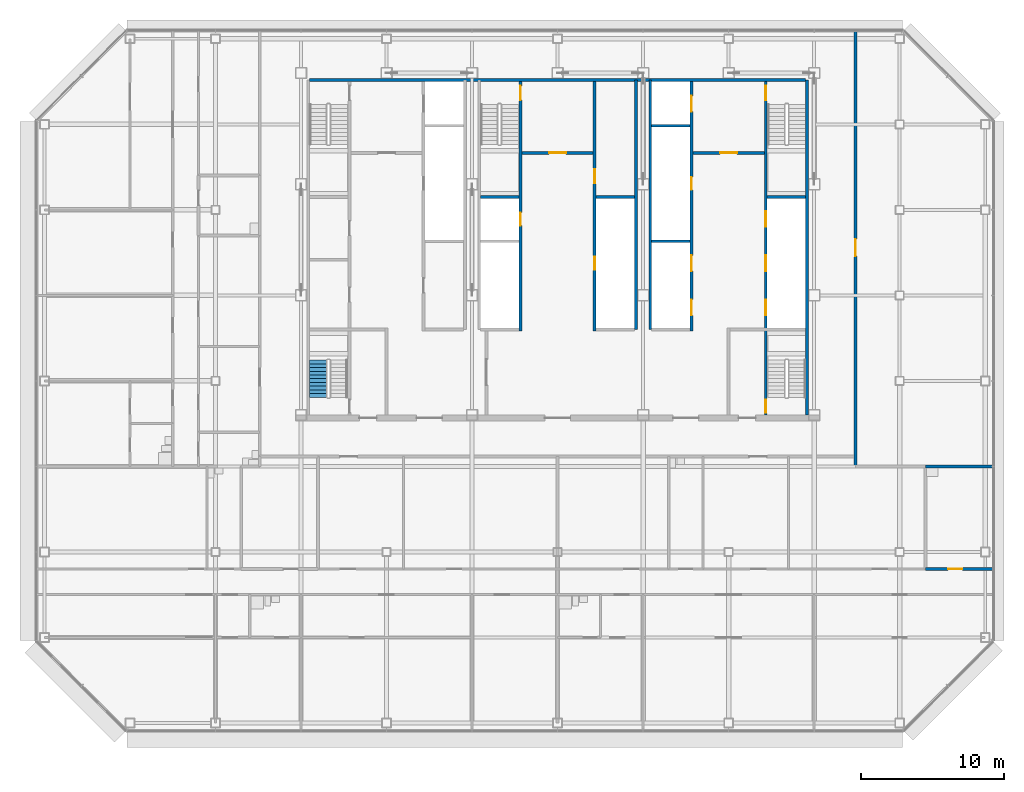
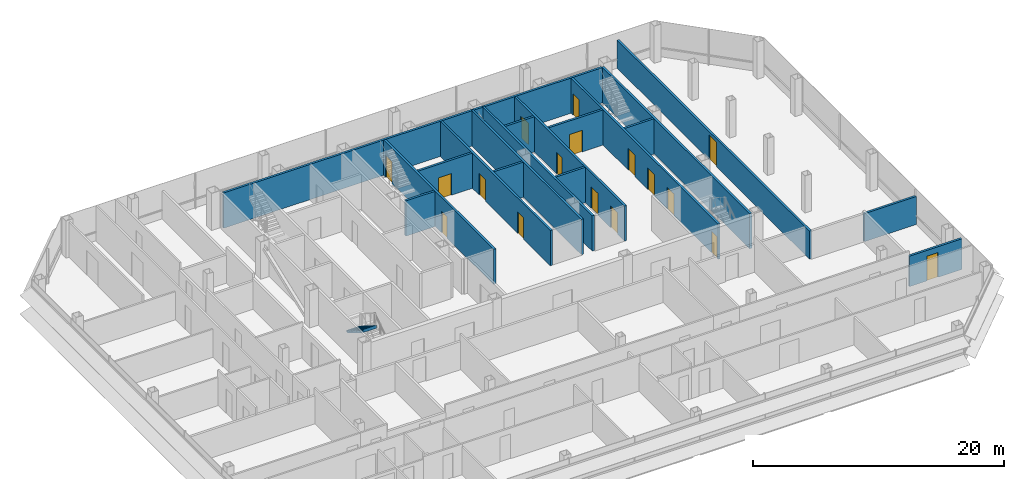
# One storey, part 23 of 26: 18 walls, 17 doors, 1 stair flight, 17 openings, 1 element without a shape of its own.
"""IFC4 building model written with IfcOpenShell, lengths in metres."""

from ifc_helpers import new_model, si_unit, direction, frame, frame_2d, origin, place, context, subcontext, project, spatial, polyline, rectangle, outline, extrude, material, layer, layer_set, type_object, element, fill, aggregate, save


model = new_model("IFC4")

# Units and contexts
model_context = context("Model", 3, precision=1e-05, world=origin(), true_north=direction((0.0, 1.0)))
body_context = subcontext(model_context, "Body", "Model", "MODEL_VIEW")
ifc_project = project(units=[si_unit("LENGTHUNIT", "METRE"), si_unit("AREAUNIT", "SQUARE_METRE"), si_unit("VOLUMEUNIT", "CUBIC_METRE"), si_unit("PLANEANGLEUNIT", "RADIAN"), si_unit("MASSUNIT", "GRAM", prefix="KILO")], contexts=[model_context])

# Site, building, storey
site_placement = place(None, origin())
site = spatial("IfcSite", under=ifc_project, at=site_placement, CompositionType="ELEMENT")
building_placement = place(site_placement, origin())
building = spatial("IfcBuilding", under=site, at=building_placement, Name="Sorahane Residences", CompositionType="ELEMENT")
storey_placement = place(building_placement, frame((0.0, 0.0, 215.39990234375)))
storey = spatial("IfcBuildingStorey", under=building, at=storey_placement, Name="L50", CompositionType="ELEMENT", Elevation=215.39990234375)

# Walls
ifc_material_1 = material(Name="Concrete C30", Category="concrete")
ifc_layer_1 = layer(ifc_material_1, 0.199951171875)
ifc_layer_set_1 = layer_set([ifc_layer_1], Name="Core face wall 200 EI 180")
wall_type_1 = type_object("IfcWallType", Name="Core face wall 200 EI 180", PredefinedType="SOLIDWALL", material=ifc_layer_set_1)
wall_1_placement = place(storey_placement, frame((41.5, 21.60009765625, 0.0), z_axis=(0.0, 0.0, 1.0), x_axis=(0.0, 1.0, 0.0)))
element("IfcWall", 1, at=wall_1_placement, inside=storey, type_object=wall_type_1, Name="L50 core face wall", PredefinedType="SOLIDWALL", context=body_context, shape_type="SweptSolid", body=[
    extrude(rectangle(XDim=23.5, YDim=0.199951171875, at=frame_2d((11.75, 0.0))), origin(), (0.0, 0.0, 1.0), 3.420166015625),
])
wall_2_placement = place(storey_placement, frame((6.60009765625, 45.10009765625, 0.0), z_axis=(0.0, 0.0, 1.0), x_axis=(1.0, 0.0, 0.0)))
element("IfcWall", 2, at=wall_2_placement, inside=storey, type_object=wall_type_1, Name="L50 core face wall", PredefinedType="SOLIDWALL", context=body_context, shape_type="SweptSolid", body=[
    extrude(rectangle(XDim=34.7998046875, YDim=0.199951171875, at=frame_2d((17.39990234375, 0.0))), origin(), (0.0, 0.0, 1.0), 3.420166015625),
])
for number, where, z_axis, x_axis, name in (
    (3, (29.5, 27.60009765625, 0.0), (0.0, 0.0, 1.0), (0.0, 1.0, 0.0), "L50 core face wall"),
    (4, (30.5, 27.60009765625, 0.0), (0.0, 0.0, 1.0), (0.0, 1.0, 0.0), "L50 core face wall"),
):
    element("IfcWall", number, at=place(storey_placement, frame(where, z_axis=z_axis, x_axis=x_axis)), inside=storey, type_object=wall_type_1, Name=name, PredefinedType="SOLIDWALL", context=body_context, shape_type="SweptSolid", body=[
        extrude(rectangle(XDim=17.5, YDim=0.199951171875, at=frame_2d((8.75, 0.0))), origin(), (0.0, 0.0, 1.0), 3.420166015625),
    ])

# Wall, opening, door
ifc_material_2 = material(Name="Concrete blockwork C20 wall", Category="masonry")
ifc_layer_2 = layer(ifc_material_2, 0.199951171875)
ifc_layer_set_2 = layer_set([ifc_layer_2], Name="Corridor wall 200 EI 120")
wall_type_2 = type_object("IfcWallType", Name="Corridor wall 200 EI 120", PredefinedType="SOLIDWALL", material=ifc_layer_set_2)
wall_3_placement = place(storey_placement, frame((44.89990234375, 18.0, 0.0), z_axis=(0.0, 0.0, 1.0), x_axis=(0.0, 1.0, 0.0)))
wall_3 = element("IfcWall", 5, at=wall_3_placement, inside=storey, type_object=wall_type_2, Name="L50 corridor wall", PredefinedType="SOLIDWALL", context=body_context, shape_type="SweptSolid", body=[
    extrude(rectangle(XDim=30.60009765625, YDim=0.199951171875, at=frame_2d((15.300048828125, 0.0))), origin(), (0.0, 0.0, 1.0), 2.72021484375),
])
opening_1_placement = place(wall_3_placement, frame((14.75, 0.0, 0.0)))
opening_1 = element("IfcOpeningElement", 6, at=opening_1_placement, cuts=wall_3, Name="Opening L50-41", PredefinedType="OPENING", context=body_context, shape_type="SweptSolid", body=[
    extrude(rectangle(XDim=1.199951171875, YDim=2.39990234375, at=frame_2d((0.60009765625, 1.199951171875))), frame((0.0, 0.10986328125, 0.0), z_axis=(0.0, -1.0, 0.0), x_axis=(1.0, 0.0, 0.0)), (0.0, 0.0, 1.0), 0.219970703125),
])
ifc_material_3 = material(Name="Steel", Category="steel")
door_type_1 = type_object("IfcDoorType", Name="Lobby door 1200x2400 FD60", OperationType="NOTDEFINED", PredefinedType="DOOR", material=ifc_material_3)
door_1_placement = place(opening_1_placement, frame((1.199951171875, 0.0, 0.0), z_axis=(0.0, 0.0, 1.0), x_axis=(-1.0, 0.0, 0.0)))
door_1 = element("IfcDoor", 7, at=door_1_placement, inside=storey, type_object=door_type_1, Name="Lobby door L50-41", OperationType="SINGLE_SWING_RIGHT", OverallHeight=2.39990234375, OverallWidth=1.199951171875, PredefinedType="DOOR", context=body_context, shape_type="SweptSolid", body=[
    extrude(rectangle(XDim=1.199951171875, YDim=2.39990234375, at=frame_2d((0.60009765625, 1.199951171875))), frame((0.0, 0.02490234375, 0.0), z_axis=(0.0, -1.0, 0.0), x_axis=(1.0, 0.0, 0.0)), (0.0, 0.0, 1.0), 0.050048828125),
])
fill(opening_1, door_1)

ifc_material_4 = material(Name="Concrete C30", Category="concrete")
ifc_layer_3 = layer(ifc_material_4, 0.199951171875)
ifc_layer_set_3 = layer_set([ifc_layer_3], Name="Front room wall 200 EI 120")
wall_type_3 = type_object("IfcWallType", Name="Front room wall 200 EI 120", PredefinedType="PARTITIONING", material=ifc_layer_set_3)
wall_4_placement = place(storey_placement, frame((21.5, 40.0, 0.0), z_axis=(0.0, 0.0, 1.0), x_axis=(1.0, 0.0, 0.0)))
wall_4 = element("IfcWall", 8, at=wall_4_placement, inside=storey, type_object=wall_type_3, Name="L50 front room wall", PredefinedType="PARTITIONING", context=body_context, shape_type="SweptSolid", body=[
    extrude(rectangle(XDim=5.0, YDim=0.199951171875, at=frame_2d((2.5, 0.0))), origin(), (0.0, 0.0, 1.0), 3.420166015625),
])
opening_2_placement = place(wall_4_placement, frame((1.89990234375, 0.0, 0.0)))
opening_2 = element("IfcOpeningElement", 9, at=opening_2_placement, cuts=wall_4, Name="Opening L50-C08", PredefinedType="OPENING", context=body_context, shape_type="SweptSolid", body=[
    extrude(rectangle(XDim=1.199951171875, YDim=2.10009765625, at=frame_2d((0.60009765625, 1.050048828125))), frame((0.0, 0.10986328125, 0.0), z_axis=(0.0, -1.0, 0.0), x_axis=(1.0, 0.0, 0.0)), (0.0, 0.0, 1.0), 0.219970703125),
])
ifc_material_5 = material(Name="Steel", Category="steel")
door_type_2 = type_object("IfcDoorType", Name="Front room door 1200x2100 FD120", OperationType="NOTDEFINED", PredefinedType="DOOR", material=ifc_material_5)
door_2_placement = place(opening_2_placement, frame((1.199951171875, 0.0, 0.0), z_axis=(0.0, 0.0, 1.0), x_axis=(-1.0, 0.0, 0.0)))
door_2 = element("IfcDoor", 10, at=door_2_placement, inside=storey, type_object=door_type_2, Name="Front room door Stair S3 vestibule L50", OperationType="DOUBLE_DOOR_SINGLE_SWING", OverallHeight=2.10009765625, OverallWidth=1.199951171875, PredefinedType="DOOR", context=body_context, shape_type="SweptSolid", body=[
    extrude(rectangle(XDim=1.199951171875, YDim=2.10009765625, at=frame_2d((0.60009765625, 1.050048828125))), frame((0.0, 0.02490234375, 0.0), z_axis=(0.0, -1.0, 0.0), x_axis=(1.0, 0.0, 0.0)), (0.0, 0.0, 1.0), 0.050048828125),
])
fill(opening_2, door_2)

wall_5_placement = place(storey_placement, frame((33.5, 40.0, 0.0), z_axis=(0.0, 0.0, 1.0), x_axis=(1.0, 0.0, 0.0)))
wall_5 = element("IfcWall", 11, at=wall_5_placement, inside=storey, type_object=wall_type_3, Name="L50 front room wall", PredefinedType="PARTITIONING", context=body_context, shape_type="SweptSolid", body=[
    extrude(rectangle(XDim=5.0, YDim=0.199951171875, at=frame_2d((2.5, 0.0))), origin(), (0.0, 0.0, 1.0), 3.420166015625),
])
opening_3_placement = place(wall_5_placement, frame((1.89990234375, 0.0, 0.0)))
opening_3 = element("IfcOpeningElement", 12, at=opening_3_placement, cuts=wall_5, Name="Opening L50-C09", PredefinedType="OPENING", context=body_context, shape_type="SweptSolid", body=[
    extrude(rectangle(XDim=1.199951171875, YDim=2.10009765625, at=frame_2d((0.60009765625, 1.050048828125))), frame((0.0, 0.10986328125, 0.0), z_axis=(0.0, -1.0, 0.0), x_axis=(1.0, 0.0, 0.0)), (0.0, 0.0, 1.0), 0.219970703125),
])
door_3_placement = place(opening_3_placement, frame((1.199951171875, 0.0, 0.0), z_axis=(0.0, 0.0, 1.0), x_axis=(-1.0, 0.0, 0.0)))
door_3 = element("IfcDoor", 13, at=door_3_placement, inside=storey, type_object=door_type_2, Name="Front room door Firefighting lobby FF2 front room L50", OperationType="DOUBLE_DOOR_SINGLE_SWING", OverallHeight=2.10009765625, OverallWidth=1.199951171875, PredefinedType="DOOR", context=body_context, shape_type="SweptSolid", body=[
    extrude(rectangle(XDim=1.199951171875, YDim=2.10009765625, at=frame_2d((0.60009765625, 1.050048828125))), frame((0.0, 0.02490234375, 0.0), z_axis=(0.0, -1.0, 0.0), x_axis=(1.0, 0.0, 0.0)), (0.0, 0.0, 1.0), 0.050048828125),
])
fill(opening_3, door_3)

ifc_material_6 = material(Name="Concrete blockwork C20 wall", Category="masonry")
ifc_layer_4 = layer(ifc_material_6, 0.199951171875)
ifc_layer_set_4 = layer_set([ifc_layer_4], Name="Kitchen wall 200 EI 180")
wall_type_4 = type_object("IfcWallType", Name="Kitchen wall 200 EI 180", PredefinedType="SOLIDWALL", material=ifc_layer_set_4)
wall_6_placement = place(storey_placement, frame((49.800048828125, 10.800048828125, 0.0), z_axis=(0.0, 0.0, 1.0), x_axis=(1.0, 0.0, 0.0)))
wall_6 = element("IfcWall", 14, at=wall_6_placement, inside=storey, type_object=wall_type_4, Name="L50 kitchen wall", PredefinedType="SOLIDWALL", context=body_context, shape_type="SweptSolid", body=[
    extrude(rectangle(XDim=4.800048828125, YDim=0.199951171875, at=frame_2d((2.39990234375, 0.0))), origin(), (0.0, 0.0, 1.0), 2.97021484375),
])
opening_4_placement = place(wall_6_placement, frame((1.60009765625, 0.0, 0.0)))
opening_4 = element("IfcOpeningElement", 15, at=opening_4_placement, cuts=wall_6, Name="Opening L50-18", PredefinedType="OPENING", context=body_context, shape_type="SweptSolid", body=[
    extrude(rectangle(XDim=1.0, YDim=2.39990234375, at=frame_2d((0.5, 1.199951171875))), frame((0.0, 0.10986328125, 0.0), z_axis=(0.0, -1.0, 0.0), x_axis=(1.0, 0.0, 0.0)), (0.0, 0.0, 1.0), 0.219970703125),
])
ifc_material_7 = material(Name="Steel", Category="steel")
door_type_3 = type_object("IfcDoorType", Name="Kitchen door 1000x2400 FD120", OperationType="NOTDEFINED", PredefinedType="DOOR", material=ifc_material_7)
door_4_placement = place(opening_4_placement, origin())
door_4 = element("IfcDoor", 16, at=door_4_placement, inside=storey, type_object=door_type_3, Name="Kitchen door L50-18", OperationType="SINGLE_SWING_RIGHT", OverallHeight=2.39990234375, OverallWidth=1.0, PredefinedType="DOOR", context=body_context, shape_type="SweptSolid", body=[
    extrude(rectangle(XDim=1.0, YDim=2.39990234375, at=frame_2d((0.5, 1.199951171875))), frame((0.0, 0.02490234375, 0.0), z_axis=(0.0, -1.0, 0.0), x_axis=(1.0, 0.0, 0.0)), (0.0, 0.0, 1.0), 0.050048828125),
])
fill(opening_4, door_4)

# Wall
wall_7_placement = place(storey_placement, frame((49.800048828125, 18.0, 0.0), z_axis=(0.0, 0.0, 1.0), x_axis=(1.0, 0.0, 0.0)))
element("IfcWall", 17, at=wall_7_placement, inside=storey, type_object=wall_type_4, Name="L50 kitchen wall", PredefinedType="SOLIDWALL", context=body_context, shape_type="SweptSolid", body=[
    extrude(rectangle(XDim=4.800048828125, YDim=0.199951171875, at=frame_2d((2.39990234375, 0.0))), origin(), (0.0, 0.0, 1.0), 2.72021484375),
])

# Wall, openings, doors
ifc_material_8 = material(Name="Concrete C30", Category="concrete")
ifc_layer_5 = layer(ifc_material_8, 0.199951171875)
ifc_layer_set_5 = layer_set([ifc_layer_5], Name="Lift shaft wall 200 EI 120")
wall_type_5 = type_object("IfcWallType", Name="Lift shaft wall 200 EI 120", PredefinedType="SOLIDWALL", material=ifc_layer_set_5)
wall_8_placement = place(storey_placement, frame((33.39990234375, 27.5, 0.0), z_axis=(0.0, 0.0, 1.0), x_axis=(0.0, 1.0, 0.0)))
wall_8 = element("IfcWall", 18, at=wall_8_placement, inside=storey, type_object=wall_type_5, Name="L50 lift shaft wall", PredefinedType="SOLIDWALL", context=body_context, shape_type="SweptSolid", body=[
    extrude(rectangle(XDim=17.5, YDim=0.199951171875, at=frame_2d((8.75, 0.0))), origin(), (0.0, 0.0, 1.0), 3.420166015625),
])
opening_5_placement = place(wall_8_placement, frame((1.10009765625, 0.0, 0.0)))
opening_5 = element("IfcOpeningElement", 19, at=opening_5_placement, cuts=wall_8, Name="Opening L50-C13", PredefinedType="OPENING", context=body_context, shape_type="SweptSolid", body=[
    extrude(rectangle(XDim=1.10009765625, YDim=2.10009765625, at=frame_2d((0.550048828125, 1.050048828125))), frame((0.0, 0.10986328125, 0.0), z_axis=(0.0, -1.0, 0.0), x_axis=(1.0, 0.0, 0.0)), (0.0, 0.0, 1.0), 0.219970703125),
])
opening_6_placement = place(wall_8_placement, frame((4.199951171875, 0.0, 0.0)))
opening_6 = element("IfcOpeningElement", 20, at=opening_6_placement, cuts=wall_8, Name="Opening L50-C14", PredefinedType="OPENING", context=body_context, shape_type="SweptSolid", body=[
    extrude(rectangle(XDim=1.10009765625, YDim=2.10009765625, at=frame_2d((0.550048828125, 1.050048828125))), frame((0.0, 0.10986328125, 0.0), z_axis=(0.0, -1.0, 0.0), x_axis=(1.0, 0.0, 0.0)), (0.0, 0.0, 1.0), 0.219970703125),
])
opening_7_placement = place(wall_8_placement, frame((15.39990234375, 0.0, 0.0)))
opening_7 = element("IfcOpeningElement", 21, at=opening_7_placement, cuts=wall_8, Name="Opening L50-C15", PredefinedType="OPENING", context=body_context, shape_type="SweptSolid", body=[
    extrude(rectangle(XDim=1.10009765625, YDim=2.10009765625, at=frame_2d((0.550048828125, 1.050048828125))), frame((0.0, 0.10986328125, 0.0), z_axis=(0.0, -1.0, 0.0), x_axis=(1.0, 0.0, 0.0)), (0.0, 0.0, 1.0), 0.219970703125),
])
opening_8_placement = place(wall_8_placement, frame((9.89990234375, 0.0, 0.0)))
opening_8 = element("IfcOpeningElement", 22, at=opening_8_placement, cuts=wall_8, Name="Opening L50-C26", PredefinedType="OPENING", context=body_context, shape_type="SweptSolid", body=[
    extrude(rectangle(XDim=0.89990234375, YDim=2.10009765625, at=frame_2d((0.449951171875, 1.050048828125))), frame((0.0, 0.10986328125, 0.0), z_axis=(0.0, -1.0, 0.0), x_axis=(1.0, 0.0, 0.0)), (0.0, 0.0, 1.0), 0.219970703125),
])
ifc_material_9 = material(Name="Aluminium and stainless steel", Category="steel")
door_type_4 = type_object("IfcDoorType", Name="Lift landing door 1100x2100 E 60", OperationType="NOTDEFINED", PredefinedType="DOOR", material=ifc_material_9)
door_5_placement = place(opening_5_placement, origin())
door_5 = element("IfcDoor", 23, at=door_5_placement, inside=storey, type_object=door_type_4, Name="Lift landing door HR4 L50", OperationType="DOUBLE_DOOR_SLIDING", OverallHeight=2.10009765625, OverallWidth=1.10009765625, PredefinedType="DOOR", context=body_context, shape_type="SweptSolid", body=[
    extrude(rectangle(XDim=1.10009765625, YDim=2.10009765625, at=frame_2d((0.550048828125, 1.050048828125))), frame((0.0, 0.02490234375, 0.0), z_axis=(0.0, -1.0, 0.0), x_axis=(1.0, 0.0, 0.0)), (0.0, 0.0, 1.0), 0.050048828125),
])
fill(opening_5, door_5)
door_6_placement = place(opening_6_placement, origin())
door_6 = element("IfcDoor", 24, at=door_6_placement, inside=storey, type_object=door_type_4, Name="Lift landing door HR5 L50", OperationType="DOUBLE_DOOR_SLIDING", OverallHeight=2.10009765625, OverallWidth=1.10009765625, PredefinedType="DOOR", context=body_context, shape_type="SweptSolid", body=[
    extrude(rectangle(XDim=1.10009765625, YDim=2.10009765625, at=frame_2d((0.550048828125, 1.050048828125))), frame((0.0, 0.02490234375, 0.0), z_axis=(0.0, -1.0, 0.0), x_axis=(1.0, 0.0, 0.0)), (0.0, 0.0, 1.0), 0.050048828125),
])
fill(opening_6, door_6)
door_7_placement = place(opening_7_placement, origin())
door_7 = element("IfcDoor", 25, at=door_7_placement, inside=storey, type_object=door_type_4, Name="Lift landing door FF2 L50", OperationType="DOUBLE_DOOR_SLIDING", OverallHeight=2.10009765625, OverallWidth=1.10009765625, PredefinedType="DOOR", context=body_context, shape_type="SweptSolid", body=[
    extrude(rectangle(XDim=1.10009765625, YDim=2.10009765625, at=frame_2d((0.550048828125, 1.050048828125))), frame((0.0, 0.02490234375, 0.0), z_axis=(0.0, -1.0, 0.0), x_axis=(1.0, 0.0, 0.0)), (0.0, 0.0, 1.0), 0.050048828125),
])
fill(opening_7, door_7)
ifc_material_10 = material(Name="Steel", Category="steel")
door_type_5 = type_object("IfcDoorType", Name="Riser door 900x2100 FD120", OperationType="NOTDEFINED", PredefinedType="DOOR", material=ifc_material_10)
door_8_placement = place(opening_8_placement, frame((0.89990234375, 0.0, 0.0), z_axis=(0.0, 0.0, 1.0), x_axis=(-1.0, 0.0, 0.0)))
door_8 = element("IfcDoor", 26, at=door_8_placement, inside=storey, type_object=door_type_5, Name="Riser door R2 L50", OperationType="SINGLE_SWING_LEFT", OverallHeight=2.10009765625, OverallWidth=0.89990234375, PredefinedType="DOOR", context=body_context, shape_type="SweptSolid", body=[
    extrude(rectangle(XDim=0.89990234375, YDim=2.10009765625, at=frame_2d((0.449951171875, 1.050048828125))), frame((0.0, 0.02490234375, 0.0), z_axis=(0.0, -1.0, 0.0), x_axis=(1.0, 0.0, 0.0)), (0.0, 0.0, 1.0), 0.050048828125),
])
fill(opening_8, door_8)

# Walls
for number, where, z_axis, x_axis, name in (
    (27, (30.60009765625, 33.800048828125, 0.0), (0.0, 0.0, 1.0), (1.0, 0.0, 0.0), "L50 lift shaft wall"),
    (28, (30.60009765625, 41.89990234375, 0.0), (0.0, 0.0, 1.0), (1.0, 0.0, 0.0), "L50 lift shaft wall"),
):
    element("IfcWall", number, at=place(storey_placement, frame(where, z_axis=z_axis, x_axis=x_axis)), inside=storey, type_object=wall_type_5, Name=name, PredefinedType="SOLIDWALL", context=body_context, shape_type="SweptSolid", body=[
        extrude(rectangle(XDim=2.699951171875, YDim=0.199951171875, at=frame_2d((1.35009765625, 0.0))), origin(), (0.0, 0.0, 1.0), 3.420166015625),
    ])

# Wall, openings, doors
ifc_material_11 = material(Name="Concrete C30", Category="concrete")
ifc_layer_6 = layer(ifc_material_11, 0.199951171875)
ifc_layer_set_6 = layer_set([ifc_layer_6], Name="Riser shaft wall 200 EI 120")
wall_type_6 = type_object("IfcWallType", Name="Riser shaft wall 200 EI 120", PredefinedType="SOLIDWALL", material=ifc_layer_set_6)
wall_9_placement = place(storey_placement, frame((26.60009765625, 27.5, 0.0), z_axis=(0.0, 0.0, 1.0), x_axis=(0.0, 1.0, 0.0)))
wall_9 = element("IfcWall", 29, at=wall_9_placement, inside=storey, type_object=wall_type_6, Name="L50 riser wall", PredefinedType="SOLIDWALL", context=body_context, shape_type="SweptSolid", body=[
    extrude(rectangle(XDim=17.5, YDim=0.199951171875, at=frame_2d((8.75, 0.0))), origin(), (0.0, 0.0, 1.0), 3.420166015625),
])
opening_9_placement = place(wall_9_placement, frame((4.300048828125, 0.0, 0.0)))
opening_9 = element("IfcOpeningElement", 30, at=opening_9_placement, cuts=wall_9, Name="Opening L50-C28", PredefinedType="OPENING", context=body_context, shape_type="SweptSolid", body=[
    extrude(rectangle(XDim=0.89990234375, YDim=2.10009765625, at=frame_2d((0.449951171875, 1.050048828125))), frame((0.0, 0.10986328125, 0.0), z_axis=(0.0, -1.0, 0.0), x_axis=(1.0, 0.0, 0.0)), (0.0, 0.0, 1.0), 0.219970703125),
])
opening_10_placement = place(wall_9_placement, frame((10.35009765625, 0.0, 0.0)))
opening_10 = element("IfcOpeningElement", 31, at=opening_10_placement, cuts=wall_9, Name="Opening L50-C29", PredefinedType="OPENING", context=body_context, shape_type="SweptSolid", body=[
    extrude(rectangle(XDim=1.0, YDim=2.10009765625, at=frame_2d((0.5, 1.050048828125))), frame((0.0, 0.10986328125, 0.0), z_axis=(0.0, -1.0, 0.0), x_axis=(1.0, 0.0, 0.0)), (0.0, 0.0, 1.0), 0.219970703125),
])
door_9_placement = place(opening_9_placement, origin())
door_9 = element("IfcDoor", 32, at=door_9_placement, inside=storey, type_object=door_type_5, Name="Riser door R4 L50", OperationType="SINGLE_SWING_LEFT", OverallHeight=2.10009765625, OverallWidth=0.89990234375, PredefinedType="DOOR", context=body_context, shape_type="SweptSolid", body=[
    extrude(rectangle(XDim=0.89990234375, YDim=2.10009765625, at=frame_2d((0.449951171875, 1.050048828125))), frame((0.0, 0.02490234375, 0.0), z_axis=(0.0, -1.0, 0.0), x_axis=(1.0, 0.0, 0.0)), (0.0, 0.0, 1.0), 0.050048828125),
])
fill(opening_9, door_9)
ifc_material_12 = material(Name="Steel", Category="steel")
door_type_6 = type_object("IfcDoorType", Name="Service room door 1000x2100 FD60", OperationType="NOTDEFINED", PredefinedType="DOOR", material=ifc_material_12)
door_10_placement = place(opening_10_placement, frame((1.0, 0.0, 0.0), z_axis=(0.0, 0.0, 1.0), x_axis=(-1.0, 0.0, 0.0)))
door_10 = element("IfcDoor", 33, at=door_10_placement, inside=storey, type_object=door_type_6, Name="Service room door Housekeeping store L50", OperationType="SINGLE_SWING_LEFT", OverallHeight=2.10009765625, OverallWidth=1.0, PredefinedType="DOOR", context=body_context, shape_type="SweptSolid", body=[
    extrude(rectangle(XDim=1.0, YDim=2.10009765625, at=frame_2d((0.5, 1.050048828125))), frame((0.0, 0.02490234375, 0.0), z_axis=(0.0, -1.0, 0.0), x_axis=(1.0, 0.0, 0.0)), (0.0, 0.0, 1.0), 0.050048828125),
])
fill(opening_10, door_10)

# Wall
wall_10_placement = place(storey_placement, frame((26.699951171875, 36.89990234375, 0.0), z_axis=(0.0, 0.0, 1.0), x_axis=(1.0, 0.0, 0.0)))
element("IfcWall", 34, at=wall_10_placement, inside=storey, type_object=wall_type_6, Name="L50 riser wall", PredefinedType="SOLIDWALL", context=body_context, shape_type="SweptSolid", body=[
    extrude(rectangle(XDim=2.699951171875, YDim=0.199951171875, at=frame_2d((1.35009765625, 0.0))), origin(), (0.0, 0.0, 1.0), 3.420166015625),
])

# Wall, openings, doors
ifc_material_13 = material(Name="Concrete C30", Category="concrete")
ifc_layer_7 = layer(ifc_material_13, 0.199951171875)
ifc_layer_set_7 = layer_set([ifc_layer_7], Name="Stair enclosure wall 200 EI 120")
wall_type_7 = type_object("IfcWallType", Name="Stair enclosure wall 200 EI 120", PredefinedType="SOLIDWALL", material=ifc_layer_set_7)
wall_11_placement = place(storey_placement, frame((21.39990234375, 27.5, 0.0), z_axis=(0.0, 0.0, 1.0), x_axis=(0.0, 1.0, 0.0)))
wall_11 = element("IfcWall", 35, at=wall_11_placement, inside=storey, type_object=wall_type_7, Name="L50 stair enclosure wall", PredefinedType="SOLIDWALL", context=body_context, shape_type="SweptSolid", body=[
    extrude(rectangle(XDim=17.5, YDim=0.199951171875, at=frame_2d((8.75, 0.0))), origin(), (0.0, 0.0, 1.0), 3.420166015625),
])
opening_11_placement = place(wall_11_placement, frame((16.199951171875, 0.0, 0.0)))
opening_11 = element("IfcOpeningElement", 36, at=opening_11_placement, cuts=wall_11, Name="Opening L50-C22", PredefinedType="OPENING", context=body_context, shape_type="SweptSolid", body=[
    extrude(rectangle(XDim=1.0, YDim=2.10009765625, at=frame_2d((0.5, 1.050048828125))), frame((0.0, 0.10986328125, 0.0), z_axis=(0.0, -1.0, 0.0), x_axis=(1.0, 0.0, 0.0)), (0.0, 0.0, 1.0), 0.219970703125),
])
opening_12_placement = place(wall_11_placement, frame((7.39990234375, 0.0, 0.0)))
opening_12 = element("IfcOpeningElement", 37, at=opening_12_placement, cuts=wall_11, Name="Opening L50-C27", PredefinedType="OPENING", context=body_context, shape_type="SweptSolid", body=[
    extrude(rectangle(XDim=0.89990234375, YDim=2.10009765625, at=frame_2d((0.449951171875, 1.050048828125))), frame((0.0, 0.10986328125, 0.0), z_axis=(0.0, -1.0, 0.0), x_axis=(1.0, 0.0, 0.0)), (0.0, 0.0, 1.0), 0.219970703125),
])
door_11_placement = place(opening_12_placement, frame((0.89990234375, 0.0, 0.0), z_axis=(0.0, 0.0, 1.0), x_axis=(-1.0, 0.0, 0.0)))
door_11 = element("IfcDoor", 38, at=door_11_placement, inside=storey, type_object=door_type_5, Name="Riser door R3 L50", OperationType="SINGLE_SWING_LEFT", OverallHeight=2.10009765625, OverallWidth=0.89990234375, PredefinedType="DOOR", context=body_context, shape_type="SweptSolid", body=[
    extrude(rectangle(XDim=0.89990234375, YDim=2.10009765625, at=frame_2d((0.449951171875, 1.050048828125))), frame((0.0, 0.02490234375, 0.0), z_axis=(0.0, -1.0, 0.0), x_axis=(1.0, 0.0, 0.0)), (0.0, 0.0, 1.0), 0.050048828125),
])
fill(opening_12, door_11)
ifc_material_14 = material(Name="Steel", Category="steel")
door_type_7 = type_object("IfcDoorType", Name="Stair door 1000x2100 FD120", OperationType="NOTDEFINED", PredefinedType="DOOR", material=ifc_material_14)
door_12_placement = place(opening_11_placement, origin())
door_12 = element("IfcDoor", 39, at=door_12_placement, inside=storey, type_object=door_type_7, Name="Stair door S3 L50", OperationType="SINGLE_SWING_LEFT", OverallHeight=2.10009765625, OverallWidth=1.0, PredefinedType="DOOR", context=body_context, shape_type="SweptSolid", body=[
    extrude(rectangle(XDim=1.0, YDim=2.10009765625, at=frame_2d((0.5, 1.050048828125))), frame((0.0, 0.02490234375, 0.0), z_axis=(0.0, -1.0, 0.0), x_axis=(1.0, 0.0, 0.0)), (0.0, 0.0, 1.0), 0.050048828125),
])
fill(opening_11, door_12)

wall_12_placement = place(storey_placement, frame((38.60009765625, 21.60009765625, 0.0), z_axis=(0.0, 0.0, 1.0), x_axis=(0.0, 1.0, 0.0)))
wall_12 = element("IfcWall", 40, at=wall_12_placement, inside=storey, type_object=wall_type_7, Name="L50 stair enclosure wall", PredefinedType="SOLIDWALL", context=body_context, shape_type="SweptSolid", body=[
    extrude(rectangle(XDim=23.39990234375, YDim=0.199951171875, at=frame_2d((11.699951171875, 0.0))), origin(), (0.0, 0.0, 1.0), 3.420166015625),
])
opening_13_placement = place(wall_12_placement, frame((7.0, 0.0, 0.0)))
opening_13 = element("IfcOpeningElement", 41, at=opening_13_placement, cuts=wall_12, Name="Opening L50-C10", PredefinedType="OPENING", context=body_context, shape_type="SweptSolid", body=[
    extrude(rectangle(XDim=1.10009765625, YDim=2.10009765625, at=frame_2d((0.550048828125, 1.050048828125))), frame((0.0, 0.10986328125, 0.0), z_axis=(0.0, -1.0, 0.0), x_axis=(1.0, 0.0, 0.0)), (0.0, 0.0, 1.0), 0.219970703125),
])
opening_14_placement = place(wall_12_placement, frame((10.10009765625, 0.0, 0.0)))
opening_14 = element("IfcOpeningElement", 42, at=opening_14_placement, cuts=wall_12, Name="Opening L50-C11", PredefinedType="OPENING", context=body_context, shape_type="SweptSolid", body=[
    extrude(rectangle(XDim=1.10009765625, YDim=2.10009765625, at=frame_2d((0.550048828125, 1.050048828125))), frame((0.0, 0.10986328125, 0.0), z_axis=(0.0, -1.0, 0.0), x_axis=(1.0, 0.0, 0.0)), (0.0, 0.0, 1.0), 0.219970703125),
])
opening_15_placement = place(wall_12_placement, frame((13.199951171875, 0.0, 0.0)))
opening_15 = element("IfcOpeningElement", 43, at=opening_15_placement, cuts=wall_12, Name="Opening L50-C12", PredefinedType="OPENING", context=body_context, shape_type="SweptSolid", body=[
    extrude(rectangle(XDim=1.10009765625, YDim=2.10009765625, at=frame_2d((0.550048828125, 1.050048828125))), frame((0.0, 0.10986328125, 0.0), z_axis=(0.0, -1.0, 0.0), x_axis=(1.0, 0.0, 0.0)), (0.0, 0.0, 1.0), 0.219970703125),
])
opening_16_placement = place(wall_12_placement, frame((22.10009765625, 0.0, 0.0)))
opening_16 = element("IfcOpeningElement", 44, at=opening_16_placement, cuts=wall_12, Name="Opening L50-C21", PredefinedType="OPENING", context=body_context, shape_type="SweptSolid", body=[
    extrude(rectangle(XDim=1.0, YDim=2.10009765625, at=frame_2d((0.5, 1.050048828125))), frame((0.0, 0.10986328125, 0.0), z_axis=(0.0, -1.0, 0.0), x_axis=(1.0, 0.0, 0.0)), (0.0, 0.0, 1.0), 0.219970703125),
])
opening_17_placement = place(wall_12_placement, frame((0.175048828125, 0.0, 0.0)))
opening_17 = element("IfcOpeningElement", 45, at=opening_17_placement, cuts=wall_12, Name="Opening L50-C24", PredefinedType="OPENING", context=body_context, shape_type="SweptSolid", body=[
    extrude(rectangle(XDim=0.89990234375, YDim=2.10009765625, at=frame_2d((0.449951171875, 1.050048828125))), frame((0.0, 0.10986328125, 0.0), z_axis=(0.0, -1.0, 0.0), x_axis=(1.0, 0.0, 0.0)), (0.0, 0.0, 1.0), 0.219970703125),
])
door_13_placement = place(opening_13_placement, origin())
door_13 = element("IfcDoor", 46, at=door_13_placement, inside=storey, type_object=door_type_4, Name="Lift landing door HR1 L50", OperationType="DOUBLE_DOOR_SLIDING", OverallHeight=2.10009765625, OverallWidth=1.10009765625, PredefinedType="DOOR", context=body_context, shape_type="SweptSolid", body=[
    extrude(rectangle(XDim=1.10009765625, YDim=2.10009765625, at=frame_2d((0.550048828125, 1.050048828125))), frame((0.0, 0.02490234375, 0.0), z_axis=(0.0, -1.0, 0.0), x_axis=(1.0, 0.0, 0.0)), (0.0, 0.0, 1.0), 0.050048828125),
])
fill(opening_13, door_13)
door_14_placement = place(opening_14_placement, origin())
door_14 = element("IfcDoor", 47, at=door_14_placement, inside=storey, type_object=door_type_4, Name="Lift landing door HR2 L50", OperationType="DOUBLE_DOOR_SLIDING", OverallHeight=2.10009765625, OverallWidth=1.10009765625, PredefinedType="DOOR", context=body_context, shape_type="SweptSolid", body=[
    extrude(rectangle(XDim=1.10009765625, YDim=2.10009765625, at=frame_2d((0.550048828125, 1.050048828125))), frame((0.0, 0.02490234375, 0.0), z_axis=(0.0, -1.0, 0.0), x_axis=(1.0, 0.0, 0.0)), (0.0, 0.0, 1.0), 0.050048828125),
])
fill(opening_14, door_14)
door_15_placement = place(opening_15_placement, origin())
door_15 = element("IfcDoor", 48, at=door_15_placement, inside=storey, type_object=door_type_4, Name="Lift landing door HR3 L50", OperationType="DOUBLE_DOOR_SLIDING", OverallHeight=2.10009765625, OverallWidth=1.10009765625, PredefinedType="DOOR", context=body_context, shape_type="SweptSolid", body=[
    extrude(rectangle(XDim=1.10009765625, YDim=2.10009765625, at=frame_2d((0.550048828125, 1.050048828125))), frame((0.0, 0.02490234375, 0.0), z_axis=(0.0, -1.0, 0.0), x_axis=(1.0, 0.0, 0.0)), (0.0, 0.0, 1.0), 0.050048828125),
])
fill(opening_15, door_15)
door_16_placement = place(opening_16_placement, frame((1.0, 0.0, 0.0), z_axis=(0.0, 0.0, 1.0), x_axis=(-1.0, 0.0, 0.0)))
door_16 = element("IfcDoor", 49, at=door_16_placement, inside=storey, type_object=door_type_7, Name="Stair door S2 L50", OperationType="SINGLE_SWING_LEFT", OverallHeight=2.10009765625, OverallWidth=1.0, PredefinedType="DOOR", context=body_context, shape_type="SweptSolid", body=[
    extrude(rectangle(XDim=1.0, YDim=2.10009765625, at=frame_2d((0.5, 1.050048828125))), frame((0.0, 0.02490234375, 0.0), z_axis=(0.0, -1.0, 0.0), x_axis=(1.0, 0.0, 0.0)), (0.0, 0.0, 1.0), 0.050048828125),
])
fill(opening_16, door_16)
ifc_material_15 = material(Name="Steel", Category="steel")
door_type_8 = type_object("IfcDoorType", Name="Stair door 900x2100 FD120", OperationType="NOTDEFINED", PredefinedType="DOOR", material=ifc_material_15)
door_17_placement = place(opening_17_placement, frame((0.89990234375, 0.0, 0.0), z_axis=(0.0, 0.0, 1.0), x_axis=(-1.0, 0.0, 0.0)))
door_17 = element("IfcDoor", 50, at=door_17_placement, inside=storey, type_object=door_type_8, Name="Stair door S5 L50", OperationType="SINGLE_SWING_LEFT", OverallHeight=2.10009765625, OverallWidth=0.89990234375, PredefinedType="DOOR", context=body_context, shape_type="SweptSolid", body=[
    extrude(rectangle(XDim=0.89990234375, YDim=2.10009765625, at=frame_2d((0.449951171875, 1.050048828125))), frame((0.0, 0.02490234375, 0.0), z_axis=(0.0, -1.0, 0.0), x_axis=(1.0, 0.0, 0.0)), (0.0, 0.0, 1.0), 0.050048828125),
])
fill(opening_17, door_17)

# Walls
for number, where, z_axis, x_axis, name in (
    (51, (18.60009765625, 36.89990234375, 0.0), (0.0, 0.0, 1.0), (1.0, 0.0, 0.0), "L50 stair enclosure wall"),
    (52, (38.699951171875, 36.89990234375, 0.0), (0.0, 0.0, 1.0), (1.0, 0.0, 0.0), "L50 stair enclosure wall"),
):
    element("IfcWall", number, at=place(storey_placement, frame(where, z_axis=z_axis, x_axis=x_axis)), inside=storey, type_object=wall_type_7, Name=name, PredefinedType="SOLIDWALL", context=body_context, shape_type="SweptSolid", body=[
        extrude(rectangle(XDim=2.699951171875, YDim=0.199951171875, at=frame_2d((1.35009765625, 0.0))), origin(), (0.0, 0.0, 1.0), 3.420166015625),
    ])

# Stair, stair flight
ifc_material_16 = material(Name="Concrete C40", Category="concrete")
stair_type = type_object("IfcStairType", Name="Dog-leg stair 1250 Concrete C40", PredefinedType="HALF_TURN_STAIR", material=ifc_material_16)
stair_placement = place(storey_placement, origin())
stair = element("IfcStair", 53, at=stair_placement, inside=storey, type_object=stair_type, Name="L50 Stair S4", PredefinedType="HALF_TURN_STAIR")
ifc_material_17 = material(Name="Concrete C40", Category="concrete")
stair_flight_type = type_object("IfcStairFlightType", Name="Stair flight 1250 Concrete C40", PredefinedType="STRAIGHT", material=ifc_material_17)
stair_flight_placement = place(storey_placement, frame((7.22509765625, 25.449951171875, 1.800048828125), z_axis=(0.0, 0.0, 1.0), x_axis=(0.0, -1.0, 0.0)))
stair_flight = element("IfcStairFlight", 54, at=stair_flight_placement, type_object=stair_flight_type, Name="S4 flight 2", NumberOfRisers=11, NumberOfTreads=10, PredefinedType="STRAIGHT", RiserHeight=0.163636364, TreadLength=0.26, context=body_context, shape_type="SweptSolid", body=[
    extrude(outline(polyline([(0.0, 0.0), (0.0, 0.16357421875), (0.260009765625, 0.16357421875), (0.260009765625, 0.327392578125), (0.52001953125, 0.327392578125), (0.52001953125, 0.490966796875), (0.780029296875, 0.490966796875), (0.780029296875, 0.654541015625), (1.0400390625, 0.654541015625), (1.0400390625, 0.818115234375), (1.300048828125, 0.818115234375), (1.300048828125, 0.98193359375), (1.56005859375, 0.98193359375), (1.56005859375, 1.1455078125), (1.820068359375, 1.1455078125), (1.820068359375, 1.30908203125), (2.080078125, 1.30908203125), (2.080078125, 1.47265625), (2.340087890625, 1.47265625), (2.340087890625, 1.636474609375), (2.60009765625, 1.636474609375), (2.60009765625, 1.800048828125), (2.6015625, 1.800048828125), (2.6015625, 1.494384765625), (2.403564453125, 1.369873046875), (2.20556640625, 1.245361328125), (2.007568359375, 1.120849609375), (1.8095703125, 0.996337890625), (1.611572265625, 0.871826171875), (1.41357421875, 0.747314453125), (1.215576171875, 0.622802734375), (1.017578125, 0.498046875), (0.819580078125, 0.37353515625), (0.62158203125, 0.2490234375), (0.423583984375, 0.12451171875), (0.2255859375, 0.0), (0.0, 0.0)])), frame((0.0, 0.625, 0.0), z_axis=(0.0, -1.0, 0.0), x_axis=(1.0, 0.0, 0.0)), (0.0, 0.0, 1.0), 1.25),
])
aggregate(stair, [stair_flight])

save(model, "model.ifc")
